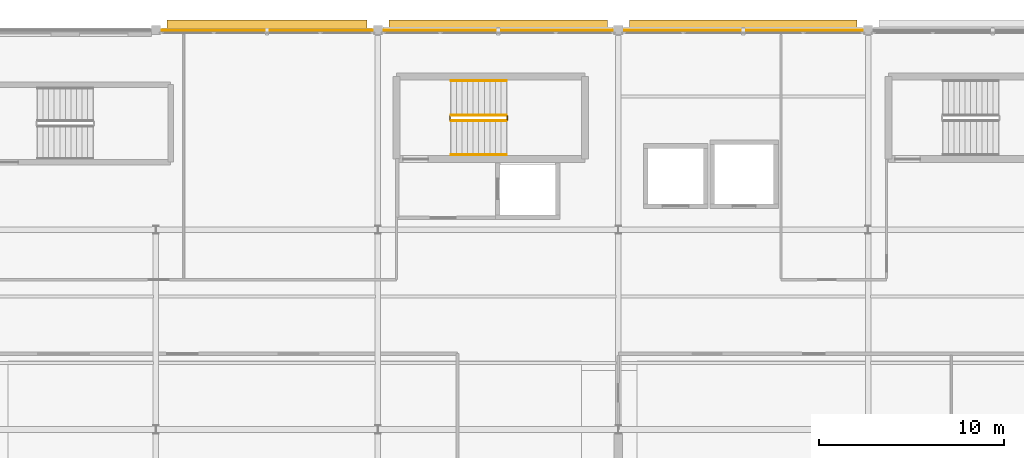
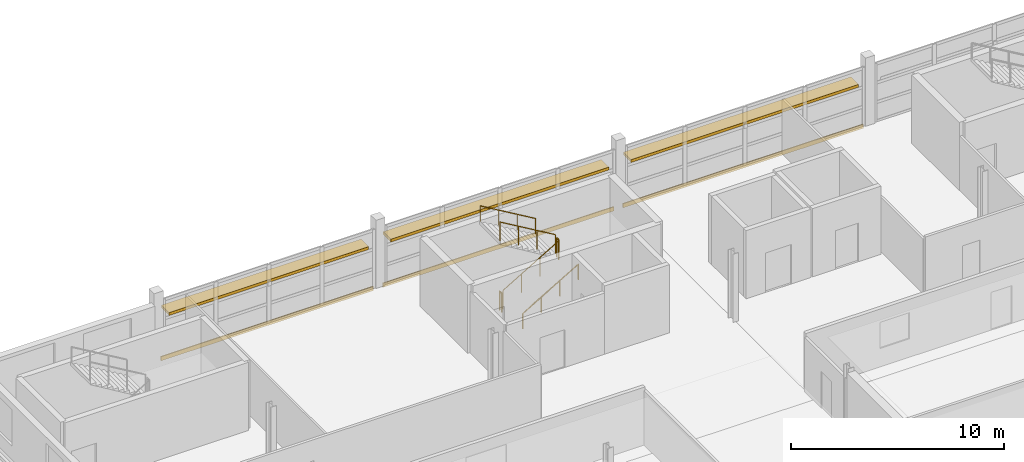
# One storey, part 109 of 110: 6 railings, 3 coverings, 3 shading devices.
"""IFC4 building model written with IfcOpenShell, lengths in metres."""

from ifc_helpers import new_model, si_unit, direction, frame, origin, origin_2d, place, context, subcontext, project, spatial, rectangle, circle, extrude, material, layer, layer_set, type_object, element, save


model = new_model("IFC4")

# Units and contexts
model_context = context("Model", 3, precision=1e-05, world=origin(), true_north=direction((0.0, 1.0)))
body_context = subcontext(model_context, "Body", "Model", "MODEL_VIEW")
ifc_project = project(units=[si_unit("LENGTHUNIT", "METRE"), si_unit("AREAUNIT", "SQUARE_METRE"), si_unit("VOLUMEUNIT", "CUBIC_METRE"), si_unit("PLANEANGLEUNIT", "RADIAN"), si_unit("MASSUNIT", "GRAM", prefix="KILO")], contexts=[model_context])

# Site, building, storey
site_placement = place(None, origin())
site = spatial("IfcSite", under=ifc_project, at=site_placement, CompositionType="ELEMENT")
building_placement = place(site_placement, origin())
building = spatial("IfcBuilding", under=site, at=building_placement, Name="Tamarisk Ironworks Central Station", CompositionType="ELEMENT")
storey_placement = place(building_placement, frame((0.0, 0.0, 17.39990234375)))
storey = spatial("IfcBuildingStorey", under=building, at=storey_placement, Name="L03", CompositionType="ELEMENT", Elevation=17.39990234375)

# Coverings
ifc_material_1 = material(Name="Clay facing brickwork and mortar", Category="masonry")
ifc_layer = layer(ifc_material_1, 0.050048828125)
ifc_layer_set = layer_set([ifc_layer], Name="Clay facing brickwork and mortar")
covering_type = type_object("IfcCoveringType", Name="COV-CLAD", PredefinedType="CLADDING", material=ifc_layer_set)
covering_1_placement = place(storey_placement, frame((134.0, 122.389892578125, -0.23974609375), z_axis=(0.0, 0.0, 1.0), x_axis=(1.0, 0.0, 0.0)))
element("IfcCovering", 1, at=covering_1_placement, inside=storey, type_object=covering_type, Name="L03 terracotta slab-edge spandrel cladding 015", PredefinedType="CLADDING", context=body_context, shape_type="SweptSolid", body=[
    extrude(rectangle(XDim=11.5, YDim=0.050048828125, at=origin_2d()), origin(), (0.0, 0.0, 1.0), 0.239990234375),
])
covering_2_placement = place(storey_placement, frame((146.5, 122.389892578125, -0.23974609375), z_axis=(0.0, 0.0, 1.0), x_axis=(1.0, 0.0, 0.0)))
element("IfcCovering", 2, at=covering_2_placement, inside=storey, type_object=covering_type, Name="L03 terracotta slab-edge spandrel cladding 016", PredefinedType="CLADDING", context=body_context, shape_type="SweptSolid", body=[
    extrude(rectangle(XDim=12.5, YDim=0.050048828125, at=origin_2d()), origin(), (0.0, 0.0, 1.0), 0.239990234375),
])
covering_3_placement = place(storey_placement, frame((159.75, 122.389892578125, -0.23974609375), z_axis=(0.0, 0.0, 1.0), x_axis=(1.0, 0.0, 0.0)))
element("IfcCovering", 3, at=covering_3_placement, inside=storey, type_object=covering_type, Name="L03 terracotta slab-edge spandrel cladding 017", PredefinedType="CLADDING", context=body_context, shape_type="SweptSolid", body=[
    extrude(rectangle(XDim=13.0, YDim=0.050048828125, at=origin_2d()), origin(), (0.0, 0.0, 1.0), 0.239990234375),
])

# Railings
ifc_material_2 = material(Name="Brushed stainless steel AISI 316", Category="steel")
railing_type_1 = type_object("IfcRailingType", Name="RL-GUARD-INT", PredefinedType="BALUSTRADE", material=ifc_material_2)
railing_1_placement = place(storey_placement, frame((143.949951171875, 117.5, 0.177490234375)))
element("IfcRailing", 4, at=railing_1_placement, inside=storey, type_object=railing_type_1, Name="L03 ST-C1 stair guard 1", PredefinedType="BALUSTRADE", context=body_context, shape_type="SweptSolid", body=[
    extrude(circle(Radius=0.02392578125, at=origin_2d()), frame((0.0, 0.0, 1.076171875), z_axis=(0.86092931783, 0.0, 0.508724591208), x_axis=(0.0, 1.0, 0.0)), (0.0, 0.0, 1.0), 3.484619140625),
    extrude(circle(Radius=0.02099609375, at=origin_2d()), origin(), (0.0, 0.0, 1.0), 1.052001953125),
    extrude(circle(Radius=0.02099609375, at=origin_2d()), frame((1.0, 0.0, 0.5908203125)), (0.0, 0.0, 1.0), 1.052001953125),
    extrude(circle(Radius=0.02099609375, at=origin_2d()), frame((2.0, 0.0, 1.181884765625)), (0.0, 0.0, 1.0), 1.052001953125),
    extrude(circle(Radius=0.02099609375, at=origin_2d()), frame((3.0, 0.0, 1.772705078125)), (0.0, 0.0, 1.0), 1.052001953125),
])
railing_2_placement = place(storey_placement, frame((147.0, 117.550048828125, 1.9501953125)))
element("IfcRailing", 5, at=railing_2_placement, inside=storey, type_object=railing_type_1, Name="L03 ST-C1 stair guard 2", PredefinedType="BALUSTRADE", context=body_context, shape_type="SweptSolid", body=[
    extrude(circle(Radius=0.02392578125, at=origin_2d()), frame((0.0, 0.0, 1.076171875), z_axis=(0.0, 1.0, 0.0), x_axis=(-1.0, 0.0, 0.0)), (0.0, 0.0, 1.0), 0.199951171875),
    extrude(circle(Radius=0.02099609375, at=origin_2d()), origin(), (0.0, 0.0, 1.0), 1.052001953125),
    extrude(circle(Radius=0.02099609375, at=origin_2d()), frame((0.0, 0.199951171875, 0.0)), (0.0, 0.0, 1.0), 1.052001953125),
])
railing_3_placement = place(storey_placement, frame((146.949951171875, 117.800048828125, 2.12744140625)))
element("IfcRailing", 6, at=railing_3_placement, inside=storey, type_object=railing_type_1, Name="L03 ST-C1 stair guard 3", PredefinedType="BALUSTRADE", context=body_context, shape_type="SweptSolid", body=[
    extrude(circle(Radius=0.02392578125, at=origin_2d()), frame((0.0, 0.0, 1.076171875), z_axis=(-0.86092931783, 0.0, 0.508724591208), x_axis=(0.0, -1.0, 0.0)), (0.0, 0.0, 1.0), 3.484619140625),
    extrude(circle(Radius=0.02099609375, at=origin_2d()), origin(), (0.0, 0.0, 1.0), 1.052001953125),
    extrude(circle(Radius=0.02099609375, at=origin_2d()), frame((-1.0, 0.0, 0.5908203125)), (0.0, 0.0, 1.0), 1.052001953125),
    extrude(circle(Radius=0.02099609375, at=origin_2d()), frame((-2.0, 0.0, 1.181884765625)), (0.0, 0.0, 1.0), 1.052001953125),
    extrude(circle(Radius=0.02099609375, at=origin_2d()), frame((-3.0, 0.0, 1.772705078125)), (0.0, 0.0, 1.0), 1.052001953125),
])
railing_4_placement = place(storey_placement, frame((143.89990234375, 117.550048828125, 0.0)))
element("IfcRailing", 7, at=railing_4_placement, inside=storey, type_object=railing_type_1, Name="L03 ST-C1 stair guard 4", PredefinedType="BALUSTRADE", context=body_context, shape_type="SweptSolid", body=[
    extrude(circle(Radius=0.02392578125, at=origin_2d()), frame((0.0, 0.0, 1.076171875), z_axis=(0.0, 1.0, 0.0), x_axis=(-1.0, 0.0, 0.0)), (0.0, 0.0, 1.0), 0.199951171875),
    extrude(circle(Radius=0.02099609375, at=origin_2d()), origin(), (0.0, 0.0, 1.0), 1.052001953125),
    extrude(circle(Radius=0.02099609375, at=origin_2d()), frame((0.0, 0.199951171875, 0.0)), (0.0, 0.0, 1.0), 1.052001953125),
])
railing_type_2 = type_object("IfcRailingType", Name="RL-HAND", PredefinedType="HANDRAIL", material=ifc_material_2)
railing_5_placement = place(storey_placement, frame((143.949951171875, 115.64990234375, 0.177490234375)))
element("IfcRailing", 8, at=railing_5_placement, inside=storey, type_object=railing_type_2, Name="L03 ST-C1 stair handrail 1", PredefinedType="HANDRAIL", context=body_context, shape_type="SweptSolid", body=[
    extrude(circle(Radius=0.02392578125, at=origin_2d()), frame((0.0, 0.0, 0.8759765625), z_axis=(0.86092931783, 0.0, 0.508724591208), x_axis=(0.0, 1.0, 0.0)), (0.0, 0.0, 1.0), 3.484619140625),
    extrude(circle(Radius=0.02099609375, at=origin_2d()), origin(), (0.0, 0.0, 1.0), 0.851806640625),
    extrude(circle(Radius=0.02099609375, at=origin_2d()), frame((1.0, 0.0, 0.5908203125)), (0.0, 0.0, 1.0), 0.851806640625),
    extrude(circle(Radius=0.02099609375, at=origin_2d()), frame((2.0, 0.0, 1.181884765625)), (0.0, 0.0, 1.0), 0.851806640625),
    extrude(circle(Radius=0.02099609375, at=origin_2d()), frame((3.0, 0.0, 1.772705078125)), (0.0, 0.0, 1.0), 0.851806640625),
])
railing_6_placement = place(storey_placement, frame((146.949951171875, 119.64990234375, 2.12744140625)))
element("IfcRailing", 9, at=railing_6_placement, inside=storey, type_object=railing_type_2, Name="L03 ST-C1 stair handrail 2", PredefinedType="HANDRAIL", context=body_context, shape_type="SweptSolid", body=[
    extrude(circle(Radius=0.02392578125, at=origin_2d()), frame((0.0, 0.0, 0.8759765625), z_axis=(-0.86092931783, 0.0, 0.508724591208), x_axis=(0.0, -1.0, 0.0)), (0.0, 0.0, 1.0), 3.484619140625),
    extrude(circle(Radius=0.02099609375, at=origin_2d()), origin(), (0.0, 0.0, 1.0), 0.851806640625),
    extrude(circle(Radius=0.02099609375, at=origin_2d()), frame((-1.0, 0.0, 0.5908203125)), (0.0, 0.0, 1.0), 0.851806640625),
    extrude(circle(Radius=0.02099609375, at=origin_2d()), frame((-2.0, 0.0, 1.181884765625)), (0.0, 0.0, 1.0), 0.851806640625),
    extrude(circle(Radius=0.02099609375, at=origin_2d()), frame((-3.0, 0.0, 1.772705078125)), (0.0, 0.0, 1.0), 0.851806640625),
])

# Shading devices
ifc_material_3 = material(Name="Anodized aluminium alloy 6063-T6", Category="aluminium")
shading_device_type = type_object("IfcShadingDeviceType", Name="SHD-LV02", PredefinedType="JALOUSIE", material=ifc_material_3)
shading_device_1_placement = place(storey_placement, frame((134.0, 122.580078125, 2.3203125), z_axis=(0.0, 0.0, 1.0), x_axis=(1.0, 0.0, 0.0)))
element("IfcShadingDevice", 10, at=shading_device_1_placement, inside=storey, type_object=shading_device_type, Name="L03 north horizontal solar jalousie canopy 008", PredefinedType="JALOUSIE", context=body_context, shape_type="SweptSolid", body=[
    extrude(rectangle(XDim=10.800048828125, YDim=0.719970703125, at=origin_2d()), origin(), (0.0, 0.0, 1.0), 0.159912109375),
])
shading_device_2_placement = place(storey_placement, frame((146.5, 122.580078125, 2.3203125), z_axis=(0.0, 0.0, 1.0), x_axis=(1.0, 0.0, 0.0)))
element("IfcShadingDevice", 11, at=shading_device_2_placement, inside=storey, type_object=shading_device_type, Name="L03 north horizontal solar jalousie canopy 009", PredefinedType="JALOUSIE", context=body_context, shape_type="SweptSolid", body=[
    extrude(rectangle(XDim=11.800048828125, YDim=0.719970703125, at=origin_2d()), origin(), (0.0, 0.0, 1.0), 0.159912109375),
])
shading_device_3_placement = place(storey_placement, frame((159.75, 122.580078125, 2.3203125), z_axis=(0.0, 0.0, 1.0), x_axis=(1.0, 0.0, 0.0)))
element("IfcShadingDevice", 12, at=shading_device_3_placement, inside=storey, type_object=shading_device_type, Name="L03 north horizontal solar jalousie canopy 010", PredefinedType="JALOUSIE", context=body_context, shape_type="SweptSolid", body=[
    extrude(rectangle(XDim=12.300048828125, YDim=0.719970703125, at=origin_2d()), origin(), (0.0, 0.0, 1.0), 0.159912109375),
])

save(model, "model.ifc")
